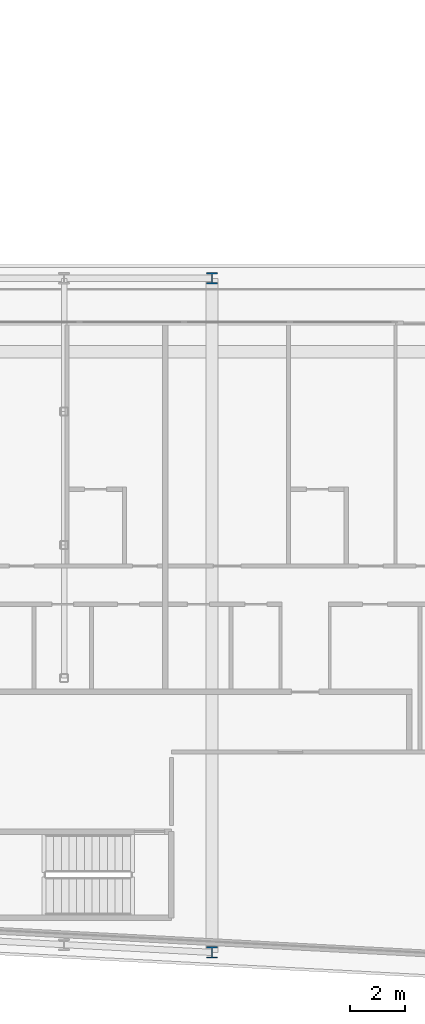
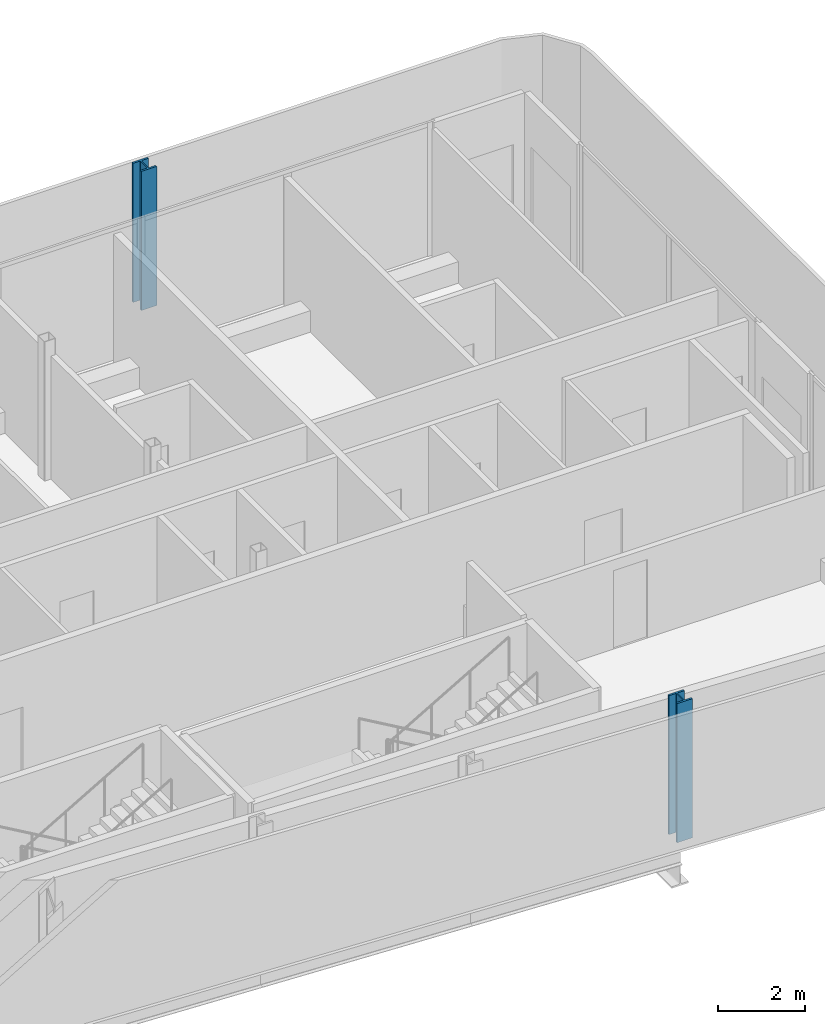
# One storey, part 4 of 30: 2 columns.
"""IFC4 building model written with IfcOpenShell, lengths in metres."""

from ifc_helpers import new_model, si_unit, direction, frame, origin, origin_2d, place, context, subcontext, project, spatial, i_section, extrude, material, material_profile, profile_set, type_object, element, save


model = new_model("IFC4")

# Units and contexts
model_context = context("Model", 3, precision=1e-05, world=origin(), true_north=direction((0.0, 1.0)))
body_context = subcontext(model_context, "Body", "Model", "MODEL_VIEW")
ifc_project = project(units=[si_unit("LENGTHUNIT", "METRE"), si_unit("AREAUNIT", "SQUARE_METRE"), si_unit("VOLUMEUNIT", "CUBIC_METRE"), si_unit("PLANEANGLEUNIT", "RADIAN"), si_unit("MASSUNIT", "GRAM", prefix="KILO")], contexts=[model_context])

# Site, building, storey
site_placement = place(None, origin())
site = spatial("IfcSite", under=ifc_project, at=site_placement, CompositionType="ELEMENT")
building_placement = place(site_placement, origin())
building = spatial("IfcBuilding", under=site, at=building_placement, Name="Kheshtan School and Residences Tower", CompositionType="ELEMENT")
storey_placement = place(building_placement, frame((0.0, 0.0, 195.5)))
storey = spatial("IfcBuildingStorey", under=building, at=storey_placement, Name="L46", CompositionType="ELEMENT", Elevation=195.5)

# Columns
ifc_material = material(Name="Steel ASTM A992 Grade 50", Category="steel")
ifc_material_profile = material_profile(ifc_material, i_section(OverallWidth=0.408935546875, OverallDepth=0.425048828125, WebThickness=0.03271484375, FlangeThickness=0.052490234375, FilletRadius=0.0126953125, at=origin_2d()), Name="W360x421")
ifc_profile_set = profile_set([ifc_material_profile], Name="Steel ASTM A992 Grade 50")
column_type = type_object("IfcColumnType", Name="Column C3 W360x421 ASTM A992 Grade 50", PredefinedType="COLUMN", material=ifc_profile_set)
for number, where, z_axis, x_axis, name in (
    (1, (90.800048828125, 20.989990234375, 0.0), (0.0, 0.0, 1.0), (1.0, 0.0, 0.0), "Column C006"),
    (2, (90.800048828125, 45.60009765625, 0.0), (0.0, 0.0, 1.0), (1.0, 0.0, 0.0), "Column C068"),
):
    element("IfcColumn", number, at=place(storey_placement, frame(where, z_axis=z_axis, x_axis=x_axis)), inside=storey, type_object=column_type, Name=name, PredefinedType="COLUMN", context=body_context, shape_type="SweptSolid", body=[
        extrude(i_section(OverallWidth=0.408935546875, OverallDepth=0.425048828125, WebThickness=0.03271484375, FlangeThickness=0.052490234375, FilletRadius=0.0126953125, at=origin_2d()), origin(), (0.0, 0.0, 1.0), 3.89990234375),
    ])

save(model, "model.ifc")
